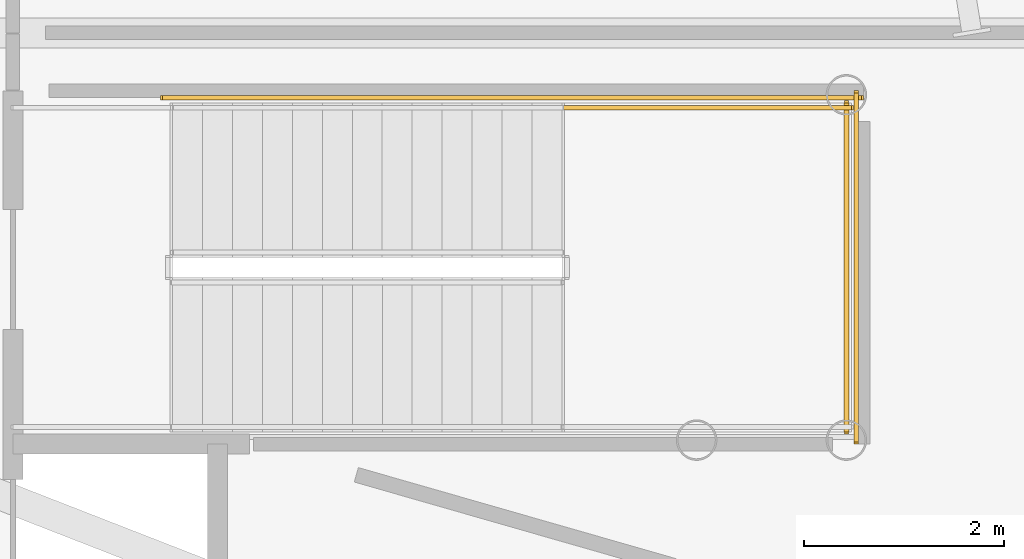
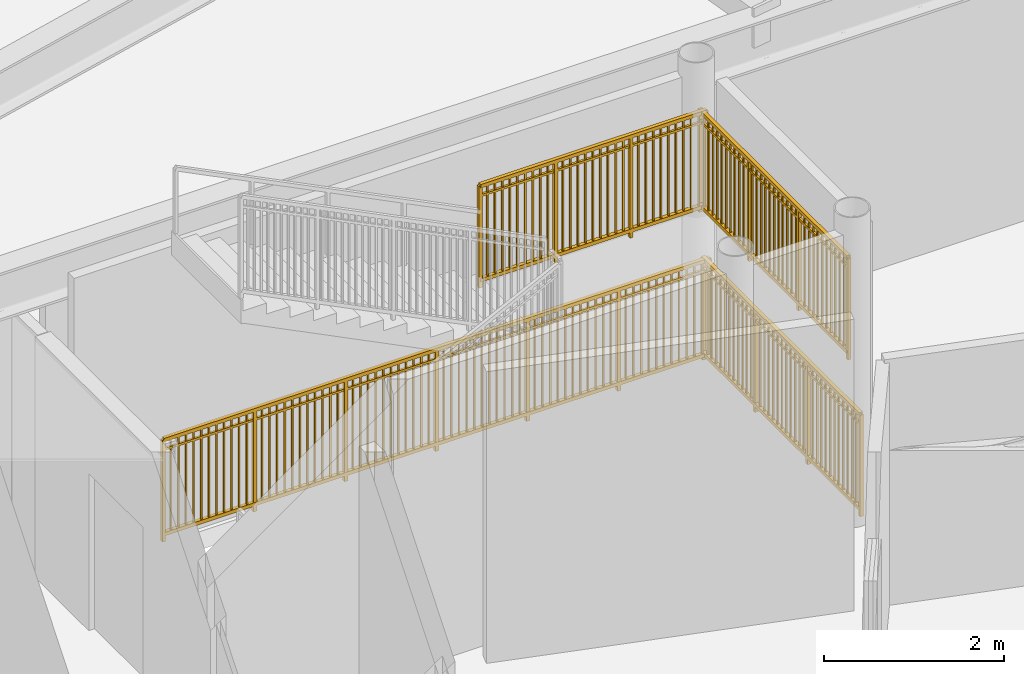
# One storey, part 31 of 32: 4 railings.
"""IFC4 building model written with IfcOpenShell, lengths in metres."""

import ifcopenshell
import ifcopenshell.guid

model = None  # the IFC model being written
_history = None  # IfcOwnerHistory: only IFC2X3 demands one
_inside = {}  # id of a spatial element -> (the spatial element, [elements in it])
_under = {}  # id of a project, library or spatial element -> (it, [spatial elements below it])
_declared = {}  # id of a project -> (the project, [libraries it declares])
_typed = {}  # id of a type object -> (the type object, [elements of that type])
_made_of = {}  # id of a material, layer set ... -> (it, [elements and type objects made of it])


def new_model(schema):
    """Start an empty IFC model of exactly this schema.

    Asked for "IFC4X3", IfcOpenShell would pick the latest addendum, in which some entities
    have other attributes; the version numbers below select the first issue.
    IFC2X3 requires an IfcOwnerHistory on every rooted entity: one is made here for all.
    """
    global model, _history
    if schema == "IFC4X3":
        model = ifcopenshell.file(schema_version=(4, 3, 0, 0))
    else:
        model = ifcopenshell.file(schema=schema)
    _inside.clear()
    _under.clear()
    _declared.clear()
    _typed.clear()
    _made_of.clear()
    _history = None
    if model.schema == "IFC2X3":
        org = make("IfcOrganization", Name="unknown")
        user = make(
            "IfcPersonAndOrganization",
            ThePerson=make("IfcPerson", FamilyName="unknown"),
            TheOrganization=org,
        )
        app = make(
            "IfcApplication",
            ApplicationDeveloper=org,
            Version="unknown",
            ApplicationFullName="unknown",
            ApplicationIdentifier="unknown",
        )
        _history = make(
            "IfcOwnerHistory",
            OwningUser=user,
            OwningApplication=app,
            ChangeAction="ADDED",
            CreationDate=0,
        )
    return model


def make(cls, **values):
    """One entity of the class cls with the attributes given. An attribute that is None is left unset."""
    return model.create_entity(
        cls, **{name: value for name, value in values.items() if value is not None}
    )


def rooted(cls, **values):
    """An entity with a GlobalId (a new one), such as an element, a storey or a relation."""
    return make(cls, GlobalId=ifcopenshell.guid.new(), OwnerHistory=_history, **values)


def si_unit(unit_type, name, prefix=None):
    """IfcSIUnit, for example si_unit("LENGTHUNIT", "METRE", prefix="MILLI")."""
    return make("IfcSIUnit", UnitType=unit_type, Prefix=prefix, Name=name)


def assignment(units):
    """IfcUnitAssignment: the units of a project."""
    return None if units is None else make("IfcUnitAssignment", Units=units)


def point(xyz):
    """IfcCartesianPoint."""
    return None if xyz is None else make("IfcCartesianPoint", Coordinates=xyz)


def direction(xyz):
    """IfcDirection."""
    return None if xyz is None else make("IfcDirection", DirectionRatios=xyz)


def frame(location, z_axis=None, x_axis=None):
    """IfcAxis2Placement3D, a coordinate frame: its origin and axes. An axis left out is left unset."""
    return make(
        "IfcAxis2Placement3D",
        Location=point(location),
        Axis=direction(z_axis),
        RefDirection=direction(x_axis),
    )


def frame_2d(location, x_axis=None):
    """IfcAxis2Placement2D, a coordinate frame in the plane: its origin and x axis."""
    return make(
        "IfcAxis2Placement2D", Location=point(location), RefDirection=direction(x_axis)
    )


def origin():
    """The frame at (0, 0, 0) with its axes left unset."""
    return frame((0.0, 0.0, 0.0))


def origin_2d():
    """The frame at (0, 0) in the plane with its x axis left unset."""
    return frame_2d((0.0, 0.0))


def place(relative_to, where):
    """IfcLocalPlacement: puts the frame where relative to a parent placement (None: the world)."""
    return make(
        "IfcLocalPlacement", PlacementRelTo=relative_to, RelativePlacement=where
    )


def context(
    kind, dimensions, precision=None, world=None, true_north=None, identifier=None
):
    """IfcGeometricRepresentationContext, for example the 3D "Model" context."""
    return make(
        "IfcGeometricRepresentationContext",
        ContextIdentifier=identifier,
        ContextType=kind,
        CoordinateSpaceDimension=dimensions,
        Precision=precision,
        WorldCoordinateSystem=world,
        TrueNorth=true_north,
    )


def subcontext(parent, identifier, kind, view, scale=None):
    """IfcGeometricRepresentationSubContext, for example "Body" below "Model"."""
    return make(
        "IfcGeometricRepresentationSubContext",
        ContextIdentifier=identifier,
        ContextType=kind,
        ParentContext=parent,
        TargetScale=scale,
        TargetView=view,
    )


def project(units=None, contexts=None):
    """IfcProject with its units and contexts."""
    return rooted(
        "IfcProject",
        Name="project",
        RepresentationContexts=contexts,
        UnitsInContext=assignment(units),
    )


def spatial(cls, under=None, at=None, **own):
    """A site, building, storey or space (cls), placed at a placement, below another one or the project."""
    s = rooted(cls, ObjectPlacement=at, **own)
    if under is not None:
        _under.setdefault(under.id(), (under, []))[1].append(s)
    return s


def profile(cls, at=None, kind="AREA", **sizes):
    """A parametric profile (cls). Its sizes go by their IFC names, for example OverallWidth=200.0."""
    return make(cls, ProfileType=kind, Position=at, **sizes)


def rectangle(**sizes):
    """IfcRectangleProfileDef."""
    return profile("IfcRectangleProfileDef", **sizes)


def extrude(swept, where, along, depth):
    """IfcExtrudedAreaSolid: the profile swept, set in the frame where, extruded along a direction by depth."""
    return make(
        "IfcExtrudedAreaSolid",
        SweptArea=swept,
        Position=where,
        ExtrudedDirection=direction(along),
        Depth=depth,
    )


def shape(context_of_items, identifier, shape_type, items):
    """IfcShapeRepresentation: the items that make up one representation, for example the "Body"."""
    return make(
        "IfcShapeRepresentation",
        ContextOfItems=context_of_items,
        RepresentationIdentifier=identifier,
        RepresentationType=shape_type,
        Items=items,
    )


def source(mapping_origin, context_of_items, identifier, shape_type, items):
    """IfcRepresentationMap: a shape defined once, which mapped items show again and again."""
    return make(
        "IfcRepresentationMap",
        MappingOrigin=mapping_origin,
        MappedRepresentation=shape(context_of_items, identifier, shape_type, items),
    )


def transform(
    local_origin,
    x_axis=None,
    y_axis=None,
    z_axis=None,
    scale=None,
    scale2=None,
    scale3=None,
    uniform=True,
):
    """IfcCartesianTransformationOperator3D, or its non-uniform kind. x_axis, y_axis, z_axis: its Axis1, 2, 3."""
    if uniform:
        return make(
            "IfcCartesianTransformationOperator3D",
            Axis1=direction(x_axis),
            Axis2=direction(y_axis),
            LocalOrigin=point(local_origin),
            Scale=scale,
            Axis3=direction(z_axis),
        )
    return make(
        "IfcCartesianTransformationOperator3DnonUniform",
        Axis1=direction(x_axis),
        Axis2=direction(y_axis),
        LocalOrigin=point(local_origin),
        Scale=scale,
        Axis3=direction(z_axis),
        Scale2=scale2,
        Scale3=scale3,
    )


def mapped(mapping_source, mapping_target):
    """IfcMappedItem: shows the shape of a source again, moved by a transform."""
    return make(
        "IfcMappedItem", MappingSource=mapping_source, MappingTarget=mapping_target
    )


def material(Name=None, Category=None):
    """IfcMaterial."""
    return make("IfcMaterial", Name=Name, Category=Category)


def made_of(thing, what):
    """Note that an element or type object is made of a material, layer set ...; save() writes the relation."""
    if what is not None:
        _made_of.setdefault(what.id(), (what, []))[1].append(thing)
    return thing


def type_object(cls, material=None, **own):
    """A type object (cls), such as IfcWallType, which elements share."""
    return made_of(rooted(cls, **own), material)


def element(
    cls,
    number,
    at=None,
    inside=None,
    cuts=None,
    type_object=None,
    material=None,
    context=None,
    identifier="Body",
    shape_type=None,
    held_by="IfcProductDefinitionShape",
    body=None,
    shapes=None,
    **own,
):
    """One element of the class cls, such as IfcWall. Its Tag is "e" and its number.

    at: its placement. inside: the storey or other place that contains it. cuts: it is an
    opening in that element (IfcRelVoidsElement). A single representation is given by context,
    identifier, shape_type and body (its items); several are given by shapes. held_by: the class
    of the entity that holds the representations. save() writes the other relations.
    """
    e = rooted(cls, Tag="e%d" % number, ObjectPlacement=at, **own)
    if body is not None:
        shapes = [shape(context, identifier, shape_type, body)]
    if shapes is not None:
        e.Representation = make(held_by, Representations=shapes)
    if inside is not None:
        _inside.setdefault(inside.id(), (inside, []))[1].append(e)
    if cuts is not None:
        rooted(
            "IfcRelVoidsElement", RelatingBuildingElement=cuts, RelatedOpeningElement=e
        )
    if type_object is not None:
        _typed.setdefault(type_object.id(), (type_object, []))[1].append(e)
    return made_of(e, material)


def aggregate(whole, parts):
    """IfcRelAggregates: a whole, such as a stair, and the parts it consists of."""
    return rooted("IfcRelAggregates", RelatingObject=whole, RelatedObjects=parts)


def save(model, path):
    """Write the relations noted so far, then the file.

    IfcRelAggregates (storeys below a building ...), IfcRelContainedInSpatialStructure (elements
    in a storey), IfcRelDefinesByType, IfcRelAssociatesMaterial and IfcRelDeclares: one each for
    every whole, place, type object, material and project.
    """
    for whole, parts in _under.values():
        aggregate(whole, parts)
    for where, things in _inside.values():
        rooted(
            "IfcRelContainedInSpatialStructure",
            RelatedElements=things,
            RelatingStructure=where,
        )
    for kind, things in _typed.values():
        rooted("IfcRelDefinesByType", RelatedObjects=things, RelatingType=kind)
    for what, things in _made_of.values():
        rooted("IfcRelAssociatesMaterial", RelatedObjects=things, RelatingMaterial=what)
    for by, libraries in _declared.values():
        rooted("IfcRelDeclares", RelatingContext=by, RelatedDefinitions=libraries)
    model.write(path)


model = new_model("IFC4")

# Units and contexts
model_context = context("Model", 3, precision=1e-05, world=origin(), true_north=direction((0.0, 1.0)))
body_context = subcontext(model_context, "Body", "Model", "MODEL_VIEW")
ifc_project = project(units=[si_unit("LENGTHUNIT", "METRE"), si_unit("AREAUNIT", "SQUARE_METRE"), si_unit("VOLUMEUNIT", "CUBIC_METRE"), si_unit("PLANEANGLEUNIT", "RADIAN"), si_unit("MASSUNIT", "GRAM", prefix="KILO")], contexts=[model_context])

# Site, building, storey
site_placement = place(None, origin())
site = spatial("IfcSite", under=ifc_project, at=site_placement, CompositionType="ELEMENT")
building_placement = place(site_placement, origin())
building = spatial("IfcBuilding", under=site, at=building_placement, Name="Linh Dai School and Residence Tower", CompositionType="ELEMENT")
storey_placement = place(building_placement, frame((0.0, 0.0, 53.39990234375)))
storey = spatial("IfcBuildingStorey", under=building, at=storey_placement, Name="L12", CompositionType="ELEMENT", Elevation=53.39990234375)

# Railings
ifc_material = material(Name="Structural Steel S355JR", Category="steel")
railing_type = type_object("IfcRailingType", Name="RL-ST-GUARD-1400", PredefinedType="GUARDRAIL", material=ifc_material)
shared_shape_1 = source(origin(), body_context, "Body", "SweptSolid", [
    extrude(rectangle(XDim=0.048095703125, YDim=0.048095703125, at=origin_2d()), frame((0.0, 0.0, 1.3759765625), z_axis=(0.0, 1.0, 0.0), x_axis=(-1.0, 0.0, 0.0)), (0.0, 0.0, 1.0), 3.300048828125),
    extrude(rectangle(XDim=0.048095703125, YDim=0.048095703125, at=origin_2d()), frame((0.0, 0.0, 0.10009765625), z_axis=(0.0, 1.0, 0.0), x_axis=(-1.0, 0.0, 0.0)), (0.0, 0.0, 1.0), 3.300048828125),
    extrude(rectangle(XDim=0.030029296875, YDim=0.030029296875, at=origin_2d()), frame((0.0, 0.0, 1.239990234375), z_axis=(0.0, 1.0, 0.0), x_axis=(-1.0, 0.0, 0.0)), (0.0, 0.0, 1.0), 3.300048828125),
    extrude(rectangle(XDim=0.02001953125, YDim=0.02001953125, at=origin_2d()), frame((0.0, 0.09716796875, 0.10009765625)), (0.0, 0.0, 1.0), 1.251708984375),
    extrude(rectangle(XDim=0.02001953125, YDim=0.02001953125, at=origin_2d()), frame((0.0, 0.194091796875, 0.10009765625)), (0.0, 0.0, 1.0), 1.251708984375),
    extrude(rectangle(XDim=0.02001953125, YDim=0.02001953125, at=origin_2d()), frame((0.0, 0.291259765625, 0.10009765625)), (0.0, 0.0, 1.0), 1.251708984375),
    extrude(rectangle(XDim=0.02001953125, YDim=0.02001953125, at=origin_2d()), frame((0.0, 0.38818359375, 0.10009765625)), (0.0, 0.0, 1.0), 1.251708984375),
    extrude(rectangle(XDim=0.02001953125, YDim=0.02001953125, at=origin_2d()), frame((0.0, 0.4853515625, 0.10009765625)), (0.0, 0.0, 1.0), 1.251708984375),
    extrude(rectangle(XDim=0.02001953125, YDim=0.02001953125, at=origin_2d()), frame((0.0, 0.582275390625, 0.10009765625)), (0.0, 0.0, 1.0), 1.251708984375),
    extrude(rectangle(XDim=0.02001953125, YDim=0.02001953125, at=origin_2d()), frame((0.0, 0.679443359375, 0.10009765625)), (0.0, 0.0, 1.0), 1.251708984375),
    extrude(rectangle(XDim=0.02001953125, YDim=0.02001953125, at=origin_2d()), frame((0.0, 0.7763671875, 0.10009765625)), (0.0, 0.0, 1.0), 1.251708984375),
    extrude(rectangle(XDim=0.02001953125, YDim=0.02001953125, at=origin_2d()), frame((0.0, 0.87353515625, 0.10009765625)), (0.0, 0.0, 1.0), 1.251708984375),
    extrude(rectangle(XDim=0.02001953125, YDim=0.02001953125, at=origin_2d()), frame((0.0, 0.970703125, 0.10009765625)), (0.0, 0.0, 1.0), 1.251708984375),
    extrude(rectangle(XDim=0.02001953125, YDim=0.02001953125, at=origin_2d()), frame((0.0, 1.164794921875, 0.10009765625)), (0.0, 0.0, 1.0), 1.251708984375),
    extrude(rectangle(XDim=0.02001953125, YDim=0.02001953125, at=origin_2d()), frame((0.0, 1.26171875, 0.10009765625)), (0.0, 0.0, 1.0), 1.251708984375),
    extrude(rectangle(XDim=0.02001953125, YDim=0.02001953125, at=origin_2d()), frame((0.0, 1.35888671875, 0.10009765625)), (0.0, 0.0, 1.0), 1.251708984375),
    extrude(rectangle(XDim=0.02001953125, YDim=0.02001953125, at=origin_2d()), frame((0.0, 1.455810546875, 0.10009765625)), (0.0, 0.0, 1.0), 1.251708984375),
    extrude(rectangle(XDim=0.02001953125, YDim=0.02001953125, at=origin_2d()), frame((0.0, 1.552978515625, 0.10009765625)), (0.0, 0.0, 1.0), 1.251708984375),
    extrude(rectangle(XDim=0.02001953125, YDim=0.02001953125, at=origin_2d()), frame((0.0, 1.64990234375, 0.10009765625)), (0.0, 0.0, 1.0), 1.251708984375),
    extrude(rectangle(XDim=0.02001953125, YDim=0.02001953125, at=origin_2d()), frame((0.0, 1.7470703125, 0.10009765625)), (0.0, 0.0, 1.0), 1.251708984375),
    extrude(rectangle(XDim=0.02001953125, YDim=0.02001953125, at=origin_2d()), frame((0.0, 1.84423828125, 0.10009765625)), (0.0, 0.0, 1.0), 1.251708984375),
    extrude(rectangle(XDim=0.02001953125, YDim=0.02001953125, at=origin_2d()), frame((0.0, 1.941162109375, 0.10009765625)), (0.0, 0.0, 1.0), 1.251708984375),
    extrude(rectangle(XDim=0.02001953125, YDim=0.02001953125, at=origin_2d()), frame((0.0, 2.038330078125, 0.10009765625)), (0.0, 0.0, 1.0), 1.251708984375),
    extrude(rectangle(XDim=0.02001953125, YDim=0.02001953125, at=origin_2d()), frame((0.0, 2.13525390625, 0.10009765625)), (0.0, 0.0, 1.0), 1.251708984375),
    extrude(rectangle(XDim=0.02001953125, YDim=0.02001953125, at=origin_2d()), frame((0.0, 2.329345703125, 0.10009765625)), (0.0, 0.0, 1.0), 1.251708984375),
    extrude(rectangle(XDim=0.02001953125, YDim=0.02001953125, at=origin_2d()), frame((0.0, 2.426513671875, 0.10009765625)), (0.0, 0.0, 1.0), 1.251708984375),
    extrude(rectangle(XDim=0.02001953125, YDim=0.02001953125, at=origin_2d()), frame((0.0, 2.523681640625, 0.10009765625)), (0.0, 0.0, 1.0), 1.251708984375),
    extrude(rectangle(XDim=0.02001953125, YDim=0.02001953125, at=origin_2d()), frame((0.0, 2.62060546875, 0.10009765625)), (0.0, 0.0, 1.0), 1.251708984375),
    extrude(rectangle(XDim=0.02001953125, YDim=0.02001953125, at=origin_2d()), frame((0.0, 2.7177734375, 0.10009765625)), (0.0, 0.0, 1.0), 1.251708984375),
    extrude(rectangle(XDim=0.02001953125, YDim=0.02001953125, at=origin_2d()), frame((0.0, 2.814697265625, 0.10009765625)), (0.0, 0.0, 1.0), 1.251708984375),
    extrude(rectangle(XDim=0.02001953125, YDim=0.02001953125, at=origin_2d()), frame((0.0, 2.911865234375, 0.10009765625)), (0.0, 0.0, 1.0), 1.251708984375),
    extrude(rectangle(XDim=0.02001953125, YDim=0.02001953125, at=origin_2d()), frame((0.0, 3.0087890625, 0.10009765625)), (0.0, 0.0, 1.0), 1.251708984375),
    extrude(rectangle(XDim=0.02001953125, YDim=0.02001953125, at=origin_2d()), frame((0.0, 3.10595703125, 0.10009765625)), (0.0, 0.0, 1.0), 1.251708984375),
    extrude(rectangle(XDim=0.02001953125, YDim=0.02001953125, at=origin_2d()), frame((0.0, 3.202880859375, 0.10009765625)), (0.0, 0.0, 1.0), 1.251708984375),
    extrude(rectangle(XDim=0.0419921875, YDim=0.0419921875, at=origin_2d()), origin(), (0.0, 0.0, 1.0), 1.3759765625),
    extrude(rectangle(XDim=0.0419921875, YDim=0.0419921875, at=origin_2d()), frame((0.0, 1.10009765625, 0.0)), (0.0, 0.0, 1.0), 1.3759765625),
    extrude(rectangle(XDim=0.0419921875, YDim=0.0419921875, at=origin_2d()), frame((0.0, 2.199951171875, 0.0)), (0.0, 0.0, 1.0), 1.3759765625),
    extrude(rectangle(XDim=0.0419921875, YDim=0.0419921875, at=origin_2d()), frame((0.0, 3.300048828125, 0.0)), (0.0, 0.0, 1.0), 1.3759765625),
])
railing_1_placement = place(storey_placement, frame((56.35009765625, 23.0, 2.10009765625)))
element("IfcRailing", 1, at=railing_1_placement, inside=storey, type_object=railing_type, Name="L12 STS2 stair guard 5", PredefinedType="GUARDRAIL", context=body_context, shape_type="MappedRepresentation", body=[
    mapped(shared_shape_1, transform((0.0, 0.0, 0.0), x_axis=(1.0, 0.0, 0.0), y_axis=(0.0, 1.0, 0.0), z_axis=(0.0, 0.0, 1.0), scale=1.0)),
])
shared_shape_2 = source(origin(), body_context, "Body", "SweptSolid", [
    extrude(rectangle(XDim=0.048095703125, YDim=0.048095703125, at=origin_2d()), frame((0.0, 0.0, 1.3759765625), z_axis=(1.0, 0.0, 0.0), x_axis=(0.0, 1.0, 0.0)), (0.0, 0.0, 1.0), 2.89990234375),
    extrude(rectangle(XDim=0.048095703125, YDim=0.048095703125, at=origin_2d()), frame((0.0, 0.0, 0.10009765625), z_axis=(1.0, 0.0, 0.0), x_axis=(0.0, 1.0, 0.0)), (0.0, 0.0, 1.0), 2.89990234375),
    extrude(rectangle(XDim=0.030029296875, YDim=0.030029296875, at=origin_2d()), frame((0.0, 0.0, 1.239990234375), z_axis=(1.0, 0.0, 0.0), x_axis=(0.0, 1.0, 0.0)), (0.0, 0.0, 1.0), 2.89990234375),
    extrude(rectangle(XDim=0.02001953125, YDim=0.02001953125, at=origin_2d()), frame((0.0966796875, 0.0, 0.10009765625)), (0.0, 0.0, 1.0), 1.251708984375),
    extrude(rectangle(XDim=0.02001953125, YDim=0.02001953125, at=origin_2d()), frame((0.193359375, 0.0, 0.10009765625)), (0.0, 0.0, 1.0), 1.251708984375),
    extrude(rectangle(XDim=0.02001953125, YDim=0.02001953125, at=origin_2d()), frame((0.2900390625, 0.0, 0.10009765625)), (0.0, 0.0, 1.0), 1.251708984375),
    extrude(rectangle(XDim=0.02001953125, YDim=0.02001953125, at=origin_2d()), frame((0.38671875, 0.0, 0.10009765625)), (0.0, 0.0, 1.0), 1.251708984375),
    extrude(rectangle(XDim=0.02001953125, YDim=0.02001953125, at=origin_2d()), frame((0.4833984375, 0.0, 0.10009765625)), (0.0, 0.0, 1.0), 1.251708984375),
    extrude(rectangle(XDim=0.02001953125, YDim=0.02001953125, at=origin_2d()), frame((0.580078125, 0.0, 0.10009765625)), (0.0, 0.0, 1.0), 1.251708984375),
    extrude(rectangle(XDim=0.02001953125, YDim=0.02001953125, at=origin_2d()), frame((0.6767578125, 0.0, 0.10009765625)), (0.0, 0.0, 1.0), 1.251708984375),
    extrude(rectangle(XDim=0.02001953125, YDim=0.02001953125, at=origin_2d()), frame((0.773193359375, 0.0, 0.10009765625)), (0.0, 0.0, 1.0), 1.251708984375),
    extrude(rectangle(XDim=0.02001953125, YDim=0.02001953125, at=origin_2d()), frame((0.869873046875, 0.0, 0.10009765625)), (0.0, 0.0, 1.0), 1.251708984375),
    extrude(rectangle(XDim=0.02001953125, YDim=0.02001953125, at=origin_2d()), frame((1.063232421875, 0.0, 0.10009765625)), (0.0, 0.0, 1.0), 1.251708984375),
    extrude(rectangle(XDim=0.02001953125, YDim=0.02001953125, at=origin_2d()), frame((1.159912109375, 0.0, 0.10009765625)), (0.0, 0.0, 1.0), 1.251708984375),
    extrude(rectangle(XDim=0.02001953125, YDim=0.02001953125, at=origin_2d()), frame((1.256591796875, 0.0, 0.10009765625)), (0.0, 0.0, 1.0), 1.251708984375),
    extrude(rectangle(XDim=0.02001953125, YDim=0.02001953125, at=origin_2d()), frame((1.353271484375, 0.0, 0.10009765625)), (0.0, 0.0, 1.0), 1.251708984375),
    extrude(rectangle(XDim=0.02001953125, YDim=0.02001953125, at=origin_2d()), frame((1.449951171875, 0.0, 0.10009765625)), (0.0, 0.0, 1.0), 1.251708984375),
    extrude(rectangle(XDim=0.02001953125, YDim=0.02001953125, at=origin_2d()), frame((1.546630859375, 0.0, 0.10009765625)), (0.0, 0.0, 1.0), 1.251708984375),
    extrude(rectangle(XDim=0.02001953125, YDim=0.02001953125, at=origin_2d()), frame((1.643310546875, 0.0, 0.10009765625)), (0.0, 0.0, 1.0), 1.251708984375),
    extrude(rectangle(XDim=0.02001953125, YDim=0.02001953125, at=origin_2d()), frame((1.739990234375, 0.0, 0.10009765625)), (0.0, 0.0, 1.0), 1.251708984375),
    extrude(rectangle(XDim=0.02001953125, YDim=0.02001953125, at=origin_2d()), frame((1.836669921875, 0.0, 0.10009765625)), (0.0, 0.0, 1.0), 1.251708984375),
    extrude(rectangle(XDim=0.02001953125, YDim=0.02001953125, at=origin_2d()), frame((2.030029296875, 0.0, 0.10009765625)), (0.0, 0.0, 1.0), 1.251708984375),
    extrude(rectangle(XDim=0.02001953125, YDim=0.02001953125, at=origin_2d()), frame((2.126708984375, 0.0, 0.10009765625)), (0.0, 0.0, 1.0), 1.251708984375),
    extrude(rectangle(XDim=0.02001953125, YDim=0.02001953125, at=origin_2d()), frame((2.22314453125, 0.0, 0.10009765625)), (0.0, 0.0, 1.0), 1.251708984375),
    extrude(rectangle(XDim=0.02001953125, YDim=0.02001953125, at=origin_2d()), frame((2.31982421875, 0.0, 0.10009765625)), (0.0, 0.0, 1.0), 1.251708984375),
    extrude(rectangle(XDim=0.02001953125, YDim=0.02001953125, at=origin_2d()), frame((2.41650390625, 0.0, 0.10009765625)), (0.0, 0.0, 1.0), 1.251708984375),
    extrude(rectangle(XDim=0.02001953125, YDim=0.02001953125, at=origin_2d()), frame((2.51318359375, 0.0, 0.10009765625)), (0.0, 0.0, 1.0), 1.251708984375),
    extrude(rectangle(XDim=0.02001953125, YDim=0.02001953125, at=origin_2d()), frame((2.60986328125, 0.0, 0.10009765625)), (0.0, 0.0, 1.0), 1.251708984375),
    extrude(rectangle(XDim=0.02001953125, YDim=0.02001953125, at=origin_2d()), frame((2.70654296875, 0.0, 0.10009765625)), (0.0, 0.0, 1.0), 1.251708984375),
    extrude(rectangle(XDim=0.02001953125, YDim=0.02001953125, at=origin_2d()), frame((2.80322265625, 0.0, 0.10009765625)), (0.0, 0.0, 1.0), 1.251708984375),
    extrude(rectangle(XDim=0.0419921875, YDim=0.0419921875, at=origin_2d()), origin(), (0.0, 0.0, 1.0), 1.3759765625),
    extrude(rectangle(XDim=0.0419921875, YDim=0.0419921875, at=origin_2d()), frame((0.966552734375, 0.0, 0.0)), (0.0, 0.0, 1.0), 1.3759765625),
    extrude(rectangle(XDim=0.0419921875, YDim=0.0419921875, at=origin_2d()), frame((1.933349609375, 0.0, 0.0)), (0.0, 0.0, 1.0), 1.3759765625),
    extrude(rectangle(XDim=0.0419921875, YDim=0.0419921875, at=origin_2d()), frame((2.89990234375, 0.0, 0.0)), (0.0, 0.0, 1.0), 1.3759765625),
])
railing_2_placement = place(storey_placement, frame((53.5, 26.25, 2.10009765625)))
element("IfcRailing", 2, at=railing_2_placement, inside=storey, type_object=railing_type, Name="L12 STS2 stair guard 4", PredefinedType="GUARDRAIL", context=body_context, shape_type="MappedRepresentation", body=[
    mapped(shared_shape_2, transform((0.0, 0.0, 0.0), x_axis=(1.0, 0.0, 0.0), y_axis=(0.0, 1.0, 0.0), z_axis=(0.0, 0.0, 1.0), scale=1.0)),
])
shared_shape_3 = source(origin(), body_context, "Body", "SweptSolid", [
    extrude(rectangle(XDim=0.048095703125, YDim=0.048095703125, at=origin_2d()), frame((0.0, 0.0, 1.3759765625), z_axis=(1.0, 0.0, 0.0), x_axis=(0.0, 1.0, 0.0)), (0.0, 0.0, 1.0), 7.0),
    extrude(rectangle(XDim=0.048095703125, YDim=0.048095703125, at=origin_2d()), frame((0.0, 0.0, 0.10009765625), z_axis=(1.0, 0.0, 0.0), x_axis=(0.0, 1.0, 0.0)), (0.0, 0.0, 1.0), 7.0),
    extrude(rectangle(XDim=0.030029296875, YDim=0.030029296875, at=origin_2d()), frame((0.0, 0.0, 1.239990234375), z_axis=(1.0, 0.0, 0.0), x_axis=(0.0, 1.0, 0.0)), (0.0, 0.0, 1.0), 7.0),
    extrude(rectangle(XDim=0.02001953125, YDim=0.02001953125, at=origin_2d()), frame((0.09716796875, 0.0, 0.10009765625)), (0.0, 0.0, 1.0), 1.251708984375),
    extrude(rectangle(XDim=0.02001953125, YDim=0.02001953125, at=origin_2d()), frame((0.1943359375, 0.0, 0.10009765625)), (0.0, 0.0, 1.0), 1.251708984375),
    extrude(rectangle(XDim=0.02001953125, YDim=0.02001953125, at=origin_2d()), frame((0.291748046875, 0.0, 0.10009765625)), (0.0, 0.0, 1.0), 1.251708984375),
    extrude(rectangle(XDim=0.02001953125, YDim=0.02001953125, at=origin_2d()), frame((0.388916015625, 0.0, 0.10009765625)), (0.0, 0.0, 1.0), 1.251708984375),
    extrude(rectangle(XDim=0.02001953125, YDim=0.02001953125, at=origin_2d()), frame((0.486083984375, 0.0, 0.10009765625)), (0.0, 0.0, 1.0), 1.251708984375),
    extrude(rectangle(XDim=0.02001953125, YDim=0.02001953125, at=origin_2d()), frame((0.583251953125, 0.0, 0.10009765625)), (0.0, 0.0, 1.0), 1.251708984375),
    extrude(rectangle(XDim=0.02001953125, YDim=0.02001953125, at=origin_2d()), frame((0.6806640625, 0.0, 0.10009765625)), (0.0, 0.0, 1.0), 1.251708984375),
    extrude(rectangle(XDim=0.02001953125, YDim=0.02001953125, at=origin_2d()), frame((0.77783203125, 0.0, 0.10009765625)), (0.0, 0.0, 1.0), 1.251708984375),
    extrude(rectangle(XDim=0.02001953125, YDim=0.02001953125, at=origin_2d()), frame((0.875, 0.0, 0.10009765625)), (0.0, 0.0, 1.0), 1.251708984375),
    extrude(rectangle(XDim=0.02001953125, YDim=0.02001953125, at=origin_2d()), frame((0.97216796875, 0.0, 0.10009765625)), (0.0, 0.0, 1.0), 1.251708984375),
    extrude(rectangle(XDim=0.02001953125, YDim=0.02001953125, at=origin_2d()), frame((1.0693359375, 0.0, 0.10009765625)), (0.0, 0.0, 1.0), 1.251708984375),
    extrude(rectangle(XDim=0.02001953125, YDim=0.02001953125, at=origin_2d()), frame((1.263916015625, 0.0, 0.10009765625)), (0.0, 0.0, 1.0), 1.251708984375),
    extrude(rectangle(XDim=0.02001953125, YDim=0.02001953125, at=origin_2d()), frame((1.361083984375, 0.0, 0.10009765625)), (0.0, 0.0, 1.0), 1.251708984375),
    extrude(rectangle(XDim=0.02001953125, YDim=0.02001953125, at=origin_2d()), frame((1.458251953125, 0.0, 0.10009765625)), (0.0, 0.0, 1.0), 1.251708984375),
    extrude(rectangle(XDim=0.02001953125, YDim=0.02001953125, at=origin_2d()), frame((1.5556640625, 0.0, 0.10009765625)), (0.0, 0.0, 1.0), 1.251708984375),
    extrude(rectangle(XDim=0.02001953125, YDim=0.02001953125, at=origin_2d()), frame((1.65283203125, 0.0, 0.10009765625)), (0.0, 0.0, 1.0), 1.251708984375),
    extrude(rectangle(XDim=0.02001953125, YDim=0.02001953125, at=origin_2d()), frame((1.75, 0.0, 0.10009765625)), (0.0, 0.0, 1.0), 1.251708984375),
    extrude(rectangle(XDim=0.02001953125, YDim=0.02001953125, at=origin_2d()), frame((1.84716796875, 0.0, 0.10009765625)), (0.0, 0.0, 1.0), 1.251708984375),
    extrude(rectangle(XDim=0.02001953125, YDim=0.02001953125, at=origin_2d()), frame((1.9443359375, 0.0, 0.10009765625)), (0.0, 0.0, 1.0), 1.251708984375),
    extrude(rectangle(XDim=0.02001953125, YDim=0.02001953125, at=origin_2d()), frame((2.041748046875, 0.0, 0.10009765625)), (0.0, 0.0, 1.0), 1.251708984375),
    extrude(rectangle(XDim=0.02001953125, YDim=0.02001953125, at=origin_2d()), frame((2.138916015625, 0.0, 0.10009765625)), (0.0, 0.0, 1.0), 1.251708984375),
    extrude(rectangle(XDim=0.02001953125, YDim=0.02001953125, at=origin_2d()), frame((2.236083984375, 0.0, 0.10009765625)), (0.0, 0.0, 1.0), 1.251708984375),
    extrude(rectangle(XDim=0.02001953125, YDim=0.02001953125, at=origin_2d()), frame((2.4306640625, 0.0, 0.10009765625)), (0.0, 0.0, 1.0), 1.251708984375),
    extrude(rectangle(XDim=0.02001953125, YDim=0.02001953125, at=origin_2d()), frame((2.52783203125, 0.0, 0.10009765625)), (0.0, 0.0, 1.0), 1.251708984375),
    extrude(rectangle(XDim=0.02001953125, YDim=0.02001953125, at=origin_2d()), frame((2.625, 0.0, 0.10009765625)), (0.0, 0.0, 1.0), 1.251708984375),
    extrude(rectangle(XDim=0.02001953125, YDim=0.02001953125, at=origin_2d()), frame((2.72216796875, 0.0, 0.10009765625)), (0.0, 0.0, 1.0), 1.251708984375),
    extrude(rectangle(XDim=0.02001953125, YDim=0.02001953125, at=origin_2d()), frame((2.8193359375, 0.0, 0.10009765625)), (0.0, 0.0, 1.0), 1.251708984375),
    extrude(rectangle(XDim=0.02001953125, YDim=0.02001953125, at=origin_2d()), frame((2.916748046875, 0.0, 0.10009765625)), (0.0, 0.0, 1.0), 1.251708984375),
    extrude(rectangle(XDim=0.02001953125, YDim=0.02001953125, at=origin_2d()), frame((3.013916015625, 0.0, 0.10009765625)), (0.0, 0.0, 1.0), 1.251708984375),
    extrude(rectangle(XDim=0.02001953125, YDim=0.02001953125, at=origin_2d()), frame((3.111083984375, 0.0, 0.10009765625)), (0.0, 0.0, 1.0), 1.251708984375),
    extrude(rectangle(XDim=0.02001953125, YDim=0.02001953125, at=origin_2d()), frame((3.208251953125, 0.0, 0.10009765625)), (0.0, 0.0, 1.0), 1.251708984375),
    extrude(rectangle(XDim=0.02001953125, YDim=0.02001953125, at=origin_2d()), frame((3.3056640625, 0.0, 0.10009765625)), (0.0, 0.0, 1.0), 1.251708984375),
    extrude(rectangle(XDim=0.02001953125, YDim=0.02001953125, at=origin_2d()), frame((3.40283203125, 0.0, 0.10009765625)), (0.0, 0.0, 1.0), 1.251708984375),
    extrude(rectangle(XDim=0.02001953125, YDim=0.02001953125, at=origin_2d()), frame((3.59716796875, 0.0, 0.10009765625)), (0.0, 0.0, 1.0), 1.251708984375),
    extrude(rectangle(XDim=0.02001953125, YDim=0.02001953125, at=origin_2d()), frame((3.6943359375, 0.0, 0.10009765625)), (0.0, 0.0, 1.0), 1.251708984375),
    extrude(rectangle(XDim=0.02001953125, YDim=0.02001953125, at=origin_2d()), frame((3.791748046875, 0.0, 0.10009765625)), (0.0, 0.0, 1.0), 1.251708984375),
    extrude(rectangle(XDim=0.02001953125, YDim=0.02001953125, at=origin_2d()), frame((3.888916015625, 0.0, 0.10009765625)), (0.0, 0.0, 1.0), 1.251708984375),
    extrude(rectangle(XDim=0.02001953125, YDim=0.02001953125, at=origin_2d()), frame((3.986083984375, 0.0, 0.10009765625)), (0.0, 0.0, 1.0), 1.251708984375),
    extrude(rectangle(XDim=0.02001953125, YDim=0.02001953125, at=origin_2d()), frame((4.083251953125, 0.0, 0.10009765625)), (0.0, 0.0, 1.0), 1.251708984375),
    extrude(rectangle(XDim=0.02001953125, YDim=0.02001953125, at=origin_2d()), frame((4.1806640625, 0.0, 0.10009765625)), (0.0, 0.0, 1.0), 1.251708984375),
    extrude(rectangle(XDim=0.02001953125, YDim=0.02001953125, at=origin_2d()), frame((4.27783203125, 0.0, 0.10009765625)), (0.0, 0.0, 1.0), 1.251708984375),
    extrude(rectangle(XDim=0.02001953125, YDim=0.02001953125, at=origin_2d()), frame((4.375, 0.0, 0.10009765625)), (0.0, 0.0, 1.0), 1.251708984375),
    extrude(rectangle(XDim=0.02001953125, YDim=0.02001953125, at=origin_2d()), frame((4.47216796875, 0.0, 0.10009765625)), (0.0, 0.0, 1.0), 1.251708984375),
    extrude(rectangle(XDim=0.02001953125, YDim=0.02001953125, at=origin_2d()), frame((4.5693359375, 0.0, 0.10009765625)), (0.0, 0.0, 1.0), 1.251708984375),
    extrude(rectangle(XDim=0.02001953125, YDim=0.02001953125, at=origin_2d()), frame((4.763916015625, 0.0, 0.10009765625)), (0.0, 0.0, 1.0), 1.251708984375),
    extrude(rectangle(XDim=0.02001953125, YDim=0.02001953125, at=origin_2d()), frame((4.861083984375, 0.0, 0.10009765625)), (0.0, 0.0, 1.0), 1.251708984375),
    extrude(rectangle(XDim=0.02001953125, YDim=0.02001953125, at=origin_2d()), frame((4.958251953125, 0.0, 0.10009765625)), (0.0, 0.0, 1.0), 1.251708984375),
    extrude(rectangle(XDim=0.02001953125, YDim=0.02001953125, at=origin_2d()), frame((5.0556640625, 0.0, 0.10009765625)), (0.0, 0.0, 1.0), 1.251708984375),
    extrude(rectangle(XDim=0.02001953125, YDim=0.02001953125, at=origin_2d()), frame((5.15283203125, 0.0, 0.10009765625)), (0.0, 0.0, 1.0), 1.251708984375),
    extrude(rectangle(XDim=0.02001953125, YDim=0.02001953125, at=origin_2d()), frame((5.25, 0.0, 0.10009765625)), (0.0, 0.0, 1.0), 1.251708984375),
    extrude(rectangle(XDim=0.02001953125, YDim=0.02001953125, at=origin_2d()), frame((5.34716796875, 0.0, 0.10009765625)), (0.0, 0.0, 1.0), 1.251708984375),
    extrude(rectangle(XDim=0.02001953125, YDim=0.02001953125, at=origin_2d()), frame((5.4443359375, 0.0, 0.10009765625)), (0.0, 0.0, 1.0), 1.251708984375),
    extrude(rectangle(XDim=0.02001953125, YDim=0.02001953125, at=origin_2d()), frame((5.541748046875, 0.0, 0.10009765625)), (0.0, 0.0, 1.0), 1.251708984375),
    extrude(rectangle(XDim=0.02001953125, YDim=0.02001953125, at=origin_2d()), frame((5.638916015625, 0.0, 0.10009765625)), (0.0, 0.0, 1.0), 1.251708984375),
    extrude(rectangle(XDim=0.02001953125, YDim=0.02001953125, at=origin_2d()), frame((5.736083984375, 0.0, 0.10009765625)), (0.0, 0.0, 1.0), 1.251708984375),
    extrude(rectangle(XDim=0.02001953125, YDim=0.02001953125, at=origin_2d()), frame((5.9306640625, 0.0, 0.10009765625)), (0.0, 0.0, 1.0), 1.251708984375),
    extrude(rectangle(XDim=0.02001953125, YDim=0.02001953125, at=origin_2d()), frame((6.02783203125, 0.0, 0.10009765625)), (0.0, 0.0, 1.0), 1.251708984375),
    extrude(rectangle(XDim=0.02001953125, YDim=0.02001953125, at=origin_2d()), frame((6.125, 0.0, 0.10009765625)), (0.0, 0.0, 1.0), 1.251708984375),
    extrude(rectangle(XDim=0.02001953125, YDim=0.02001953125, at=origin_2d()), frame((6.22216796875, 0.0, 0.10009765625)), (0.0, 0.0, 1.0), 1.251708984375),
    extrude(rectangle(XDim=0.02001953125, YDim=0.02001953125, at=origin_2d()), frame((6.3193359375, 0.0, 0.10009765625)), (0.0, 0.0, 1.0), 1.251708984375),
    extrude(rectangle(XDim=0.02001953125, YDim=0.02001953125, at=origin_2d()), frame((6.416748046875, 0.0, 0.10009765625)), (0.0, 0.0, 1.0), 1.251708984375),
    extrude(rectangle(XDim=0.02001953125, YDim=0.02001953125, at=origin_2d()), frame((6.513916015625, 0.0, 0.10009765625)), (0.0, 0.0, 1.0), 1.251708984375),
    extrude(rectangle(XDim=0.02001953125, YDim=0.02001953125, at=origin_2d()), frame((6.611083984375, 0.0, 0.10009765625)), (0.0, 0.0, 1.0), 1.251708984375),
    extrude(rectangle(XDim=0.02001953125, YDim=0.02001953125, at=origin_2d()), frame((6.708251953125, 0.0, 0.10009765625)), (0.0, 0.0, 1.0), 1.251708984375),
    extrude(rectangle(XDim=0.02001953125, YDim=0.02001953125, at=origin_2d()), frame((6.8056640625, 0.0, 0.10009765625)), (0.0, 0.0, 1.0), 1.251708984375),
    extrude(rectangle(XDim=0.02001953125, YDim=0.02001953125, at=origin_2d()), frame((6.90283203125, 0.0, 0.10009765625)), (0.0, 0.0, 1.0), 1.251708984375),
    extrude(rectangle(XDim=0.0419921875, YDim=0.0419921875, at=origin_2d()), origin(), (0.0, 0.0, 1.0), 1.3759765625),
    extrude(rectangle(XDim=0.0419921875, YDim=0.0419921875, at=origin_2d()), frame((1.166748046875, 0.0, 0.0)), (0.0, 0.0, 1.0), 1.3759765625),
    extrude(rectangle(XDim=0.0419921875, YDim=0.0419921875, at=origin_2d()), frame((2.333251953125, 0.0, 0.0)), (0.0, 0.0, 1.0), 1.3759765625),
    extrude(rectangle(XDim=0.0419921875, YDim=0.0419921875, at=origin_2d()), frame((3.5, 0.0, 0.0)), (0.0, 0.0, 1.0), 1.3759765625),
    extrude(rectangle(XDim=0.0419921875, YDim=0.0419921875, at=origin_2d()), frame((4.666748046875, 0.0, 0.0)), (0.0, 0.0, 1.0), 1.3759765625),
    extrude(rectangle(XDim=0.0419921875, YDim=0.0419921875, at=origin_2d()), frame((5.833251953125, 0.0, 0.0)), (0.0, 0.0, 1.0), 1.3759765625),
    extrude(rectangle(XDim=0.0419921875, YDim=0.0419921875, at=origin_2d()), frame((7.0, 0.0, 0.0)), (0.0, 0.0, 1.0), 1.3759765625),
])
railing_3_placement = place(storey_placement, frame((49.5, 26.35009765625, 0.0)))
element("IfcRailing", 3, at=railing_3_placement, inside=storey, type_object=railing_type, Name="L12 STS2 stair guard 11", PredefinedType="GUARDRAIL", context=body_context, shape_type="MappedRepresentation", body=[
    mapped(shared_shape_3, transform((0.0, 0.0, 0.0), x_axis=(1.0, 0.0, 0.0), y_axis=(0.0, 1.0, 0.0), z_axis=(0.0, 0.0, 1.0), scale=1.0)),
])
shared_shape_4 = source(origin(), body_context, "Body", "SweptSolid", [
    extrude(rectangle(XDim=0.048095703125, YDim=0.048095703125, at=origin_2d()), frame((0.0, 0.0, 1.3759765625), z_axis=(0.0, 1.0, 0.0), x_axis=(-1.0, 0.0, 0.0)), (0.0, 0.0, 1.0), 3.5),
    extrude(rectangle(XDim=0.048095703125, YDim=0.048095703125, at=origin_2d()), frame((0.0, 0.0, 0.10009765625), z_axis=(0.0, 1.0, 0.0), x_axis=(-1.0, 0.0, 0.0)), (0.0, 0.0, 1.0), 3.5),
    extrude(rectangle(XDim=0.030029296875, YDim=0.030029296875, at=origin_2d()), frame((0.0, 0.0, 1.239990234375), z_axis=(0.0, 1.0, 0.0), x_axis=(-1.0, 0.0, 0.0)), (0.0, 0.0, 1.0), 3.5),
    extrude(rectangle(XDim=0.02001953125, YDim=0.02001953125, at=origin_2d()), frame((0.0, 0.09716796875, 0.10009765625)), (0.0, 0.0, 1.0), 1.251708984375),
    extrude(rectangle(XDim=0.02001953125, YDim=0.02001953125, at=origin_2d()), frame((0.0, 0.1943359375, 0.10009765625)), (0.0, 0.0, 1.0), 1.251708984375),
    extrude(rectangle(XDim=0.02001953125, YDim=0.02001953125, at=origin_2d()), frame((0.0, 0.291748046875, 0.10009765625)), (0.0, 0.0, 1.0), 1.251708984375),
    extrude(rectangle(XDim=0.02001953125, YDim=0.02001953125, at=origin_2d()), frame((0.0, 0.388916015625, 0.10009765625)), (0.0, 0.0, 1.0), 1.251708984375),
    extrude(rectangle(XDim=0.02001953125, YDim=0.02001953125, at=origin_2d()), frame((0.0, 0.486083984375, 0.10009765625)), (0.0, 0.0, 1.0), 1.251708984375),
    extrude(rectangle(XDim=0.02001953125, YDim=0.02001953125, at=origin_2d()), frame((0.0, 0.583251953125, 0.10009765625)), (0.0, 0.0, 1.0), 1.251708984375),
    extrude(rectangle(XDim=0.02001953125, YDim=0.02001953125, at=origin_2d()), frame((0.0, 0.6806640625, 0.10009765625)), (0.0, 0.0, 1.0), 1.251708984375),
    extrude(rectangle(XDim=0.02001953125, YDim=0.02001953125, at=origin_2d()), frame((0.0, 0.77783203125, 0.10009765625)), (0.0, 0.0, 1.0), 1.251708984375),
    extrude(rectangle(XDim=0.02001953125, YDim=0.02001953125, at=origin_2d()), frame((0.0, 0.875, 0.10009765625)), (0.0, 0.0, 1.0), 1.251708984375),
    extrude(rectangle(XDim=0.02001953125, YDim=0.02001953125, at=origin_2d()), frame((0.0, 0.97216796875, 0.10009765625)), (0.0, 0.0, 1.0), 1.251708984375),
    extrude(rectangle(XDim=0.02001953125, YDim=0.02001953125, at=origin_2d()), frame((0.0, 1.0693359375, 0.10009765625)), (0.0, 0.0, 1.0), 1.251708984375),
    extrude(rectangle(XDim=0.02001953125, YDim=0.02001953125, at=origin_2d()), frame((0.0, 1.263916015625, 0.10009765625)), (0.0, 0.0, 1.0), 1.251708984375),
    extrude(rectangle(XDim=0.02001953125, YDim=0.02001953125, at=origin_2d()), frame((0.0, 1.361083984375, 0.10009765625)), (0.0, 0.0, 1.0), 1.251708984375),
    extrude(rectangle(XDim=0.02001953125, YDim=0.02001953125, at=origin_2d()), frame((0.0, 1.458251953125, 0.10009765625)), (0.0, 0.0, 1.0), 1.251708984375),
    extrude(rectangle(XDim=0.02001953125, YDim=0.02001953125, at=origin_2d()), frame((0.0, 1.5556640625, 0.10009765625)), (0.0, 0.0, 1.0), 1.251708984375),
    extrude(rectangle(XDim=0.02001953125, YDim=0.02001953125, at=origin_2d()), frame((0.0, 1.65283203125, 0.10009765625)), (0.0, 0.0, 1.0), 1.251708984375),
    extrude(rectangle(XDim=0.02001953125, YDim=0.02001953125, at=origin_2d()), frame((0.0, 1.75, 0.10009765625)), (0.0, 0.0, 1.0), 1.251708984375),
    extrude(rectangle(XDim=0.02001953125, YDim=0.02001953125, at=origin_2d()), frame((0.0, 1.84716796875, 0.10009765625)), (0.0, 0.0, 1.0), 1.251708984375),
    extrude(rectangle(XDim=0.02001953125, YDim=0.02001953125, at=origin_2d()), frame((0.0, 1.9443359375, 0.10009765625)), (0.0, 0.0, 1.0), 1.251708984375),
    extrude(rectangle(XDim=0.02001953125, YDim=0.02001953125, at=origin_2d()), frame((0.0, 2.041748046875, 0.10009765625)), (0.0, 0.0, 1.0), 1.251708984375),
    extrude(rectangle(XDim=0.02001953125, YDim=0.02001953125, at=origin_2d()), frame((0.0, 2.138916015625, 0.10009765625)), (0.0, 0.0, 1.0), 1.251708984375),
    extrude(rectangle(XDim=0.02001953125, YDim=0.02001953125, at=origin_2d()), frame((0.0, 2.236083984375, 0.10009765625)), (0.0, 0.0, 1.0), 1.251708984375),
    extrude(rectangle(XDim=0.02001953125, YDim=0.02001953125, at=origin_2d()), frame((0.0, 2.4306640625, 0.10009765625)), (0.0, 0.0, 1.0), 1.251708984375),
    extrude(rectangle(XDim=0.02001953125, YDim=0.02001953125, at=origin_2d()), frame((0.0, 2.52783203125, 0.10009765625)), (0.0, 0.0, 1.0), 1.251708984375),
    extrude(rectangle(XDim=0.02001953125, YDim=0.02001953125, at=origin_2d()), frame((0.0, 2.625, 0.10009765625)), (0.0, 0.0, 1.0), 1.251708984375),
    extrude(rectangle(XDim=0.02001953125, YDim=0.02001953125, at=origin_2d()), frame((0.0, 2.72216796875, 0.10009765625)), (0.0, 0.0, 1.0), 1.251708984375),
    extrude(rectangle(XDim=0.02001953125, YDim=0.02001953125, at=origin_2d()), frame((0.0, 2.8193359375, 0.10009765625)), (0.0, 0.0, 1.0), 1.251708984375),
    extrude(rectangle(XDim=0.02001953125, YDim=0.02001953125, at=origin_2d()), frame((0.0, 2.916748046875, 0.10009765625)), (0.0, 0.0, 1.0), 1.251708984375),
    extrude(rectangle(XDim=0.02001953125, YDim=0.02001953125, at=origin_2d()), frame((0.0, 3.013916015625, 0.10009765625)), (0.0, 0.0, 1.0), 1.251708984375),
    extrude(rectangle(XDim=0.02001953125, YDim=0.02001953125, at=origin_2d()), frame((0.0, 3.111083984375, 0.10009765625)), (0.0, 0.0, 1.0), 1.251708984375),
    extrude(rectangle(XDim=0.02001953125, YDim=0.02001953125, at=origin_2d()), frame((0.0, 3.208251953125, 0.10009765625)), (0.0, 0.0, 1.0), 1.251708984375),
    extrude(rectangle(XDim=0.02001953125, YDim=0.02001953125, at=origin_2d()), frame((0.0, 3.3056640625, 0.10009765625)), (0.0, 0.0, 1.0), 1.251708984375),
    extrude(rectangle(XDim=0.02001953125, YDim=0.02001953125, at=origin_2d()), frame((0.0, 3.40283203125, 0.10009765625)), (0.0, 0.0, 1.0), 1.251708984375),
    extrude(rectangle(XDim=0.0419921875, YDim=0.0419921875, at=origin_2d()), origin(), (0.0, 0.0, 1.0), 1.3759765625),
    extrude(rectangle(XDim=0.0419921875, YDim=0.0419921875, at=origin_2d()), frame((0.0, 1.166748046875, 0.0)), (0.0, 0.0, 1.0), 1.3759765625),
    extrude(rectangle(XDim=0.0419921875, YDim=0.0419921875, at=origin_2d()), frame((0.0, 2.333251953125, 0.0)), (0.0, 0.0, 1.0), 1.3759765625),
    extrude(rectangle(XDim=0.0419921875, YDim=0.0419921875, at=origin_2d()), frame((0.0, 3.5, 0.0)), (0.0, 0.0, 1.0), 1.3759765625),
])
railing_4_placement = place(storey_placement, frame((56.449951171875, 22.89990234375, 0.0)))
element("IfcRailing", 4, at=railing_4_placement, inside=storey, type_object=railing_type, Name="L12 STS2 stair guard 12", PredefinedType="GUARDRAIL", context=body_context, shape_type="MappedRepresentation", body=[
    mapped(shared_shape_4, transform((0.0, 0.0, 0.0), x_axis=(1.0, 0.0, 0.0), y_axis=(0.0, 1.0, 0.0), z_axis=(0.0, 0.0, 1.0), scale=1.0)),
])

save(model, "model.ifc")
